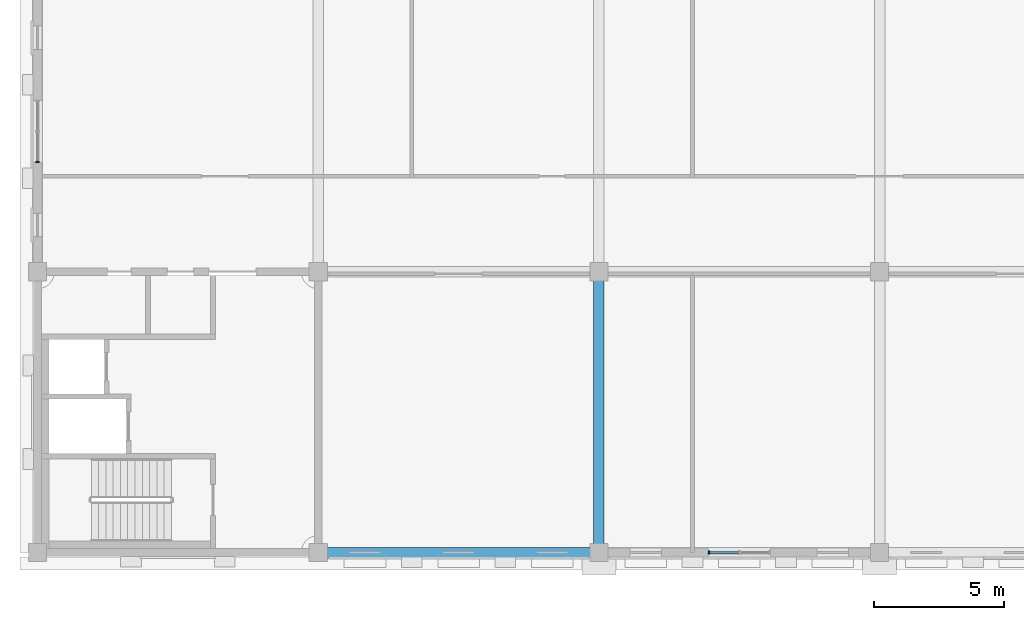
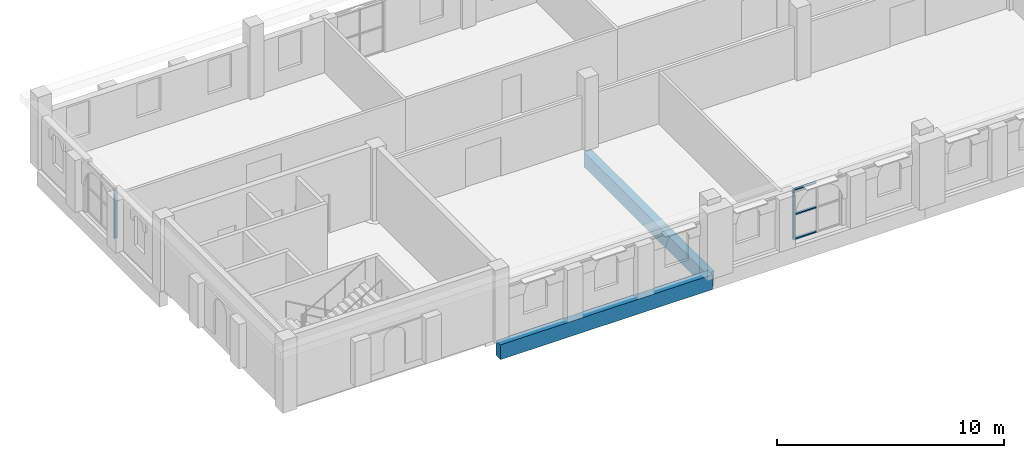
# One storey, part 2 of 17: 5 members, 2 beams, 2 elements without a shape of their own.
"""IFC4 building model written with IfcOpenShell, lengths in metres."""

from ifc_helpers import new_model, si_unit, direction, frame, origin, origin_2d, place, context, subcontext, project, spatial, rectangle, extrude, material, layer, layer_set, material_profile, profile_set, type_object, element, aggregate, save


model = new_model("IFC4")

# Units and contexts
model_context = context("Model", 3, precision=1e-05, world=origin(), true_north=direction((0.0, 1.0)))
body_context = subcontext(model_context, "Body", "Model", "MODEL_VIEW")
ifc_project = project(units=[si_unit("LENGTHUNIT", "METRE"), si_unit("AREAUNIT", "SQUARE_METRE"), si_unit("VOLUMEUNIT", "CUBIC_METRE"), si_unit("PLANEANGLEUNIT", "RADIAN"), si_unit("MASSUNIT", "GRAM", prefix="KILO")], contexts=[model_context])

# Site, building, storey
site_placement = place(None, origin())
site = spatial("IfcSite", under=ifc_project, at=site_placement, CompositionType="ELEMENT")
building_placement = place(site_placement, origin())
building = spatial("IfcBuilding", under=site, at=building_placement, Name="Magnolia Steps Interchange", CompositionType="ELEMENT")
storey_placement = place(building_placement, frame((0.0, 0.0, 20.39990234375)))
storey = spatial("IfcBuildingStorey", under=building, at=storey_placement, Name="L05", CompositionType="ELEMENT", Elevation=20.39990234375)

# Curtain wall, member
ifc_material_1 = material(Name="Powder-coated aluminium and glass", Category="aluminium")
ifc_layer = layer(ifc_material_1, 0.199951171875)
ifc_layer_set = layer_set([ifc_layer], Name="Glazed central bay curtain wall")
curtain_wall_type = type_object("IfcCurtainWallType", Name="Glazed central bay curtain wall", PredefinedType="NOTDEFINED", material=ifc_layer_set)
curtain_wall_1_placement = place(storey_placement, origin())
curtain_wall_1 = element("IfcCurtainWall", 1, at=curtain_wall_1_placement, inside=storey, type_object=curtain_wall_type, Name="Operations building south wall L05 glazing 2", PredefinedType="NOTDEFINED")
ifc_material_2 = material(Name="White powder-coated aluminium", Category="aluminium")
ifc_material_profile_1 = material_profile(ifc_material_2, rectangle(XDim=0.06005859375, YDim=0.14990234375, at=origin_2d()), Name="Aluminium mullion 60 x 150")
ifc_profile_set_1 = profile_set([ifc_material_profile_1], Name="White powder-coated aluminium")
member_type_1 = type_object("IfcMemberType", Name="Aluminium mullion 60 x 150", PredefinedType="MULLION", material=ifc_profile_set_1)
member_1_placement = place(storey_placement, frame((89.830078125, 96.39990234375, 0.0), z_axis=(0.0, 0.0, 1.0), x_axis=(1.0, 0.0, 0.0)))
member_1 = element("IfcMember", 2, at=member_1_placement, type_object=member_type_1, Name="CW2 mullion 1", PredefinedType="MULLION", context=body_context, shape_type="SweptSolid", body=[
    extrude(rectangle(XDim=0.06005859375, YDim=0.14990234375, at=origin_2d()), origin(), (0.0, 0.0, 1.0), 2.7001953125),
])

curtain_wall_2_placement = place(storey_placement, origin())
curtain_wall_2 = element("IfcCurtainWall", 3, at=curtain_wall_2_placement, inside=storey, type_object=curtain_wall_type, Name="Operations building west wall L05 glazing 2", PredefinedType="NOTDEFINED")
member_2_placement = place(storey_placement, frame((64.0, 111.429931640625, 0.0), z_axis=(0.0, 0.0, 1.0), x_axis=(0.0, 1.0, 0.0)))
member_2 = element("IfcMember", 4, at=member_2_placement, type_object=member_type_1, Name="CW2 mullion 1", PredefinedType="MULLION", context=body_context, shape_type="SweptSolid", body=[
    extrude(rectangle(XDim=0.06005859375, YDim=0.14990234375, at=origin_2d()), origin(), (0.0, 0.0, 1.0), 2.7001953125),
])
aggregate(curtain_wall_2, [member_2])

# Member
ifc_material_3 = material(Name="White powder-coated aluminium", Category="aluminium")
ifc_material_profile_2 = material_profile(ifc_material_3, rectangle(XDim=0.06005859375, YDim=0.1201171875, at=origin_2d()), Name="Aluminium transom 60 x 120")
ifc_profile_set_2 = profile_set([ifc_material_profile_2], Name="White powder-coated aluminium")
member_type_2 = type_object("IfcMemberType", Name="Aluminium transom 60 x 120", PredefinedType="USERDEFINED", material=ifc_profile_set_2)
member_3_placement = place(storey_placement, frame((89.860107421875, 96.39990234375, 0.030029296875), z_axis=(1.0, 0.0, 0.0), x_axis=(0.0, 0.0, 1.0)))
member_3 = element("IfcMember", 5, at=member_3_placement, type_object=member_type_2, Name="CW2 transom 1.1", ObjectType="TRANSOM", PredefinedType="USERDEFINED", context=body_context, shape_type="SweptSolid", body=[
    extrude(rectangle(XDim=0.06005859375, YDim=0.1201171875, at=origin_2d()), origin(), (0.0, 0.0, 1.0), 1.10986328125),
])

member_4_placement = place(storey_placement, frame((89.860107421875, 96.39990234375, 1.35009765625), z_axis=(1.0, 0.0, 0.0), x_axis=(0.0, 0.0, 1.0)))
member_4 = element("IfcMember", 6, at=member_4_placement, type_object=member_type_2, Name="CW2 transom 1.2", ObjectType="TRANSOM", PredefinedType="USERDEFINED", context=body_context, shape_type="SweptSolid", body=[
    extrude(rectangle(XDim=0.06005859375, YDim=0.1201171875, at=origin_2d()), origin(), (0.0, 0.0, 1.0), 1.10986328125),
])

member_5_placement = place(storey_placement, frame((89.860107421875, 96.39990234375, 2.670166015625), z_axis=(1.0, 0.0, 0.0), x_axis=(0.0, 0.0, 1.0)))
member_5 = element("IfcMember", 7, at=member_5_placement, type_object=member_type_2, Name="CW2 transom 1.3", ObjectType="TRANSOM", PredefinedType="USERDEFINED", context=body_context, shape_type="SweptSolid", body=[
    extrude(rectangle(XDim=0.06005859375, YDim=0.1201171875, at=origin_2d()), origin(), (0.0, 0.0, 1.0), 1.10986328125),
])

aggregate(curtain_wall_1, [member_1, member_3, member_4, member_5])

# Beams
ifc_material_4 = material(Name="Concrete C40", Category="concrete")
ifc_material_profile_3 = material_profile(ifc_material_4, rectangle(XDim=0.39990234375, YDim=0.800048828125, at=origin_2d()), Name="RC400x800")
ifc_profile_set_3 = profile_set([ifc_material_profile_3], Name="Concrete C40")
beam_type = type_object("IfcBeamType", Name="RC beam 400x800", PredefinedType="BEAM", material=ifc_profile_set_3)
for number, where, z_axis, x_axis, name in (
    (8, (74.800048828125, 96.39990234375, -0.699951171875), (1.0, 0.0, 0.0), (0.0, 1.0, 0.0), "Beam L05 I 7-8"),
    (9, (85.60009765625, 96.39990234375, -0.699951171875), (0.0, 1.0, 0.0), (-1.0, 0.0, 0.0), "Beam L05 8 I-J"),
):
    element("IfcBeam", number, at=place(storey_placement, frame(where, z_axis=z_axis, x_axis=x_axis)), inside=storey, type_object=beam_type, Name=name, PredefinedType="BEAM", context=body_context, shape_type="SweptSolid", body=[
        extrude(rectangle(XDim=0.39990234375, YDim=0.800048828125, at=origin_2d()), origin(), (0.0, 0.0, 1.0), 10.800048828125),
    ])

save(model, "model.ifc")
